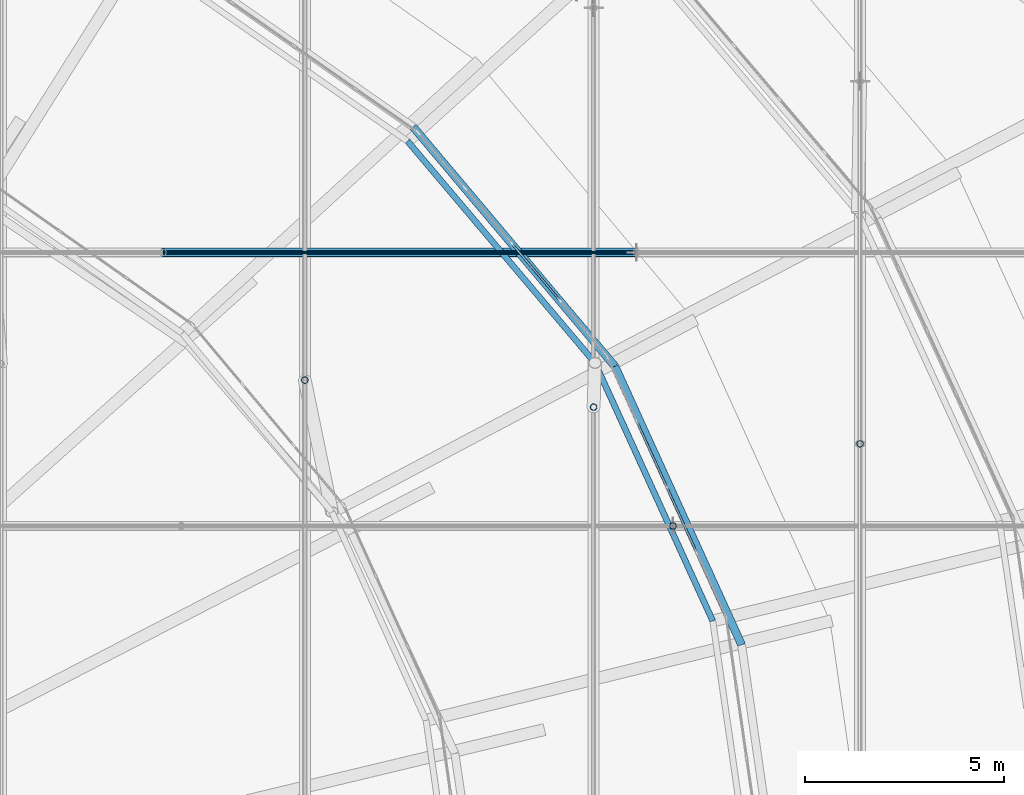
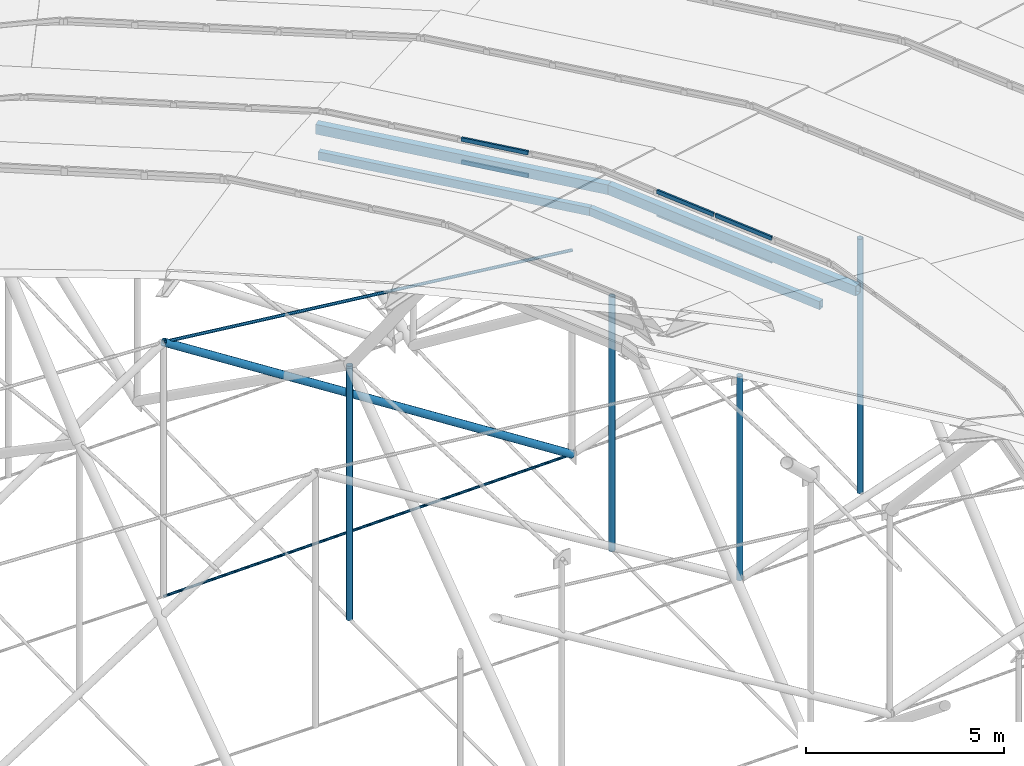
# One storey, part 93 of 173: 17 members, 2 elements without a shape of their own.
"""IFC4 building model written with IfcOpenShell, lengths in metres."""

from ifc_helpers import new_model, si_unit, direction, frame, origin, origin_2d, place, context, subcontext, project, spatial, rectangle, hollow_rectangle, circle, hollow_circle, extrude, material, material_profile, profile_set, type_object, element, aggregate, save


model = new_model("IFC4")

# Units and contexts
model_context = context("Model", 3, precision=1e-05, world=origin(), true_north=direction((0.0, 1.0)))
body_context = subcontext(model_context, "Body", "Model", "MODEL_VIEW")
ifc_project = project(units=[si_unit("LENGTHUNIT", "METRE"), si_unit("AREAUNIT", "SQUARE_METRE"), si_unit("VOLUMEUNIT", "CUBIC_METRE"), si_unit("PLANEANGLEUNIT", "RADIAN"), si_unit("MASSUNIT", "GRAM", prefix="KILO")], contexts=[model_context])

# Site, building, storey
site_placement = place(None, origin())
site = spatial("IfcSite", under=ifc_project, at=site_placement, CompositionType="ELEMENT")
building_placement = place(site_placement, origin())
building = spatial("IfcBuilding", under=site, at=building_placement, Name="Glasvene Arena", CompositionType="ELEMENT")
storey_placement = place(building_placement, frame((0.0, 0.0, 28.800048828125)))
storey = spatial("IfcBuildingStorey", under=building, at=storey_placement, Name="RF", CompositionType="ELEMENT", Elevation=28.800048828125)

# Curtain wall, members
ifc_material_1 = material(Name="Low-emissivity laminated double glazing", Category="glass")
curtain_wall_type_1 = type_object("IfcCurtainWallType", Name="CW-PET3-721x75", PredefinedType="USERDEFINED", material=ifc_material_1)
curtain_wall_1_placement = place(storey_placement, frame((118.029541015625, 77.739990234375, 0.0)))
curtain_wall_1 = element("IfcCurtainWall", 1, at=curtain_wall_1_placement, inside=storey, type_object=curtain_wall_type_1, Name="Petal ring 3-4 clerestory curtain wall 02", ObjectType="CURTAIN WALL", PredefinedType="USERDEFINED")
ifc_material_2 = material(Name="Anodised architectural aluminium", Category="aluminium")
ifc_material_profile_1 = material_profile(ifc_material_2, rectangle(XDim=0.050048828125, YDim=0.1201171875, at=origin_2d()), Name="ALU TRANSOM 50x120")
ifc_profile_set_1 = profile_set([ifc_material_profile_1], Name="Anodised architectural aluminium")
member_type_1 = type_object("IfcMemberType", Name="CW-TRN-120", PredefinedType="USERDEFINED", material=ifc_profile_set_1)
member_1_placement = place(storey_placement, frame((117.271240234375, 79.402587890625, 7.85498046875), z_axis=(-0.414946517338, 0.909845804381, 0.0), x_axis=(-0.909845804381, -0.414946517338, 0.0)))
member_1 = element("IfcMember", 2, at=member_1_placement, type_object=member_type_1, Name="CW-094 transom 2.1", ObjectType="TRANSOM", PredefinedType="USERDEFINED", context=body_context, shape_type="SweptSolid", body=[
    extrude(rectangle(XDim=0.050048828125, YDim=0.1201171875, at=origin_2d()), origin(), (0.0, 0.0, 1.0), 1.752685546875),
])
member_2_placement = place(storey_placement, frame((117.271240234375, 79.402587890625, 8.554931640625), z_axis=(-0.414946517338, 0.909845804381, 0.0), x_axis=(-0.909845804381, -0.414946517338, 0.0)))
member_2 = element("IfcMember", 3, at=member_2_placement, type_object=member_type_1, Name="CW-094 transom 2.2", ObjectType="TRANSOM", PredefinedType="USERDEFINED", context=body_context, shape_type="SweptSolid", body=[
    extrude(rectangle(XDim=0.050048828125, YDim=0.1201171875, at=origin_2d()), origin(), (0.0, 0.0, 1.0), 1.752685546875),
])
member_3_placement = place(storey_placement, frame((116.523193359375, 81.042724609375, 7.85498046875), z_axis=(-0.414999110691, 0.90982181669, 0.0), x_axis=(-0.90982181669, -0.414999110691, 0.0)))
member_3 = element("IfcMember", 4, at=member_3_placement, type_object=member_type_1, Name="CW-094 transom 3.1", ObjectType="TRANSOM", PredefinedType="USERDEFINED", context=body_context, shape_type="SweptSolid", body=[
    extrude(rectangle(XDim=0.050048828125, YDim=0.1201171875, at=origin_2d()), origin(), (0.0, 0.0, 1.0), 1.75244140625),
])
member_4_placement = place(storey_placement, frame((116.523193359375, 81.042724609375, 8.554931640625), z_axis=(-0.414999110691, 0.90982181669, 0.0), x_axis=(-0.90982181669, -0.414999110691, 0.0)))
member_4 = element("IfcMember", 5, at=member_4_placement, type_object=member_type_1, Name="CW-094 transom 3.2", ObjectType="TRANSOM", PredefinedType="USERDEFINED", context=body_context, shape_type="SweptSolid", body=[
    extrude(rectangle(XDim=0.050048828125, YDim=0.1201171875, at=origin_2d()), origin(), (0.0, 0.0, 1.0), 1.75244140625),
])
aggregate(curtain_wall_1, [member_1, member_2, member_3, member_4])

curtain_wall_type_2 = type_object("IfcCurtainWallType", Name="CW-PET3-737x75", PredefinedType="USERDEFINED", material=ifc_material_1)
curtain_wall_2_placement = place(storey_placement, frame((115.03759765625, 84.300048828125, 0.0)))
curtain_wall_2 = element("IfcCurtainWall", 6, at=curtain_wall_2_placement, inside=storey, type_object=curtain_wall_type_2, Name="Petal ring 3-4 clerestory curtain wall 03", ObjectType="CURTAIN WALL", PredefinedType="USERDEFINED")
member_5_placement = place(storey_placement, frame((113.83154296875, 85.7275390625, 7.85498046875), z_axis=(-0.645417374568, 0.763830094069, 0.0), x_axis=(-0.763830094069, -0.645417374568, 0.0)))
member_5 = element("IfcMember", 7, at=member_5_placement, type_object=member_type_1, Name="CW-095 transom 2.1", ObjectType="TRANSOM", PredefinedType="USERDEFINED", context=body_context, shape_type="SweptSolid", body=[
    extrude(rectangle(XDim=0.050048828125, YDim=0.1201171875, at=origin_2d()), origin(), (0.0, 0.0, 1.0), 1.793701171875),
])
member_6_placement = place(storey_placement, frame((113.83154296875, 85.7275390625, 8.554931640625), z_axis=(-0.645417374568, 0.763830094069, 0.0), x_axis=(-0.763830094069, -0.645417374568, 0.0)))
member_6 = element("IfcMember", 8, at=member_6_placement, type_object=member_type_1, Name="CW-095 transom 2.2", ObjectType="TRANSOM", PredefinedType="USERDEFINED", context=body_context, shape_type="SweptSolid", body=[
    extrude(rectangle(XDim=0.050048828125, YDim=0.1201171875, at=origin_2d()), origin(), (0.0, 0.0, 1.0), 1.793701171875),
])
aggregate(curtain_wall_2, [member_5, member_6])

# Members
ifc_material_3 = material(Name="High-strength steel spiral strand S460", Category="steel")
ifc_material_profile_2 = material_profile(ifc_material_3, circle(Radius=0.03759765625, at=origin_2d()), Name="LCSS D75")
ifc_profile_set_2 = profile_set([ifc_material_profile_2], Name="High-strength steel spiral strand S460")
member_type_2 = type_object("IfcMemberType", Name="MB-CABLE-75", PredefinedType="USERDEFINED", material=ifc_profile_set_2)
member_7_placement = place(storey_placement, frame((103.88818359375, 86.90576171875, -2.328125), z_axis=(0.999835625889, 0.0, 0.01813067026), x_axis=(0.0, 1.0, 0.0)))
element("IfcMember", 9, at=member_7_placement, inside=storey, type_object=member_type_2, Name="Lower stabilization roof cable EW06-06", ObjectType="ROOF CABLE", PredefinedType="USERDEFINED", context=body_context, shape_type="SweptSolid", body=[
    extrude(circle(Radius=0.03759765625, at=origin_2d()), origin(), (0.0, 0.0, 1.0), 11.89013671875),
])
ifc_material_profile_3 = material_profile(ifc_material_3, circle(Radius=0.044921875, at=origin_2d()), Name="LCSS D90")
ifc_profile_set_3 = profile_set([ifc_material_profile_3], Name="High-strength steel spiral strand S460")
member_type_3 = type_object("IfcMemberType", Name="MB-CABLE-90", PredefinedType="USERDEFINED", material=ifc_profile_set_3)
member_8_placement = place(storey_placement, frame((103.88818359375, 86.90576171875, 5.499267578125), z_axis=(0.99377900828, 0.0, -0.111370026044), x_axis=(0.0, 1.0, 0.0)))
element("IfcMember", 10, at=member_8_placement, inside=storey, type_object=member_type_3, Name="Upper lens roof cable EW06-06", ObjectType="ROOF CABLE", PredefinedType="USERDEFINED", context=body_context, shape_type="SweptSolid", body=[
    extrude(circle(Radius=0.044921875, at=origin_2d()), origin(), (0.0, 0.0, 1.0), 11.962646484375),
])
ifc_material_4 = material(Name="Steel S355J2", Category="steel")
ifc_material_profile_4 = material_profile(ifc_material_4, hollow_rectangle(XDim=0.14990234375, YDim=0.25, WallThickness=0.010009765625, at=origin_2d()), Name="RHS 250x150x10.0")
ifc_profile_set_4 = profile_set([ifc_material_profile_4], Name="Steel S355J2")
member_type_4 = type_object("IfcMemberType", Name="MB-PURLIN-RHS250", PredefinedType="PURLIN", material=ifc_profile_set_4)
member_9_placement = place(storey_placement, frame((117.69140625, 77.654296875, 7.431884765625), z_axis=(-0.415137577062, 0.909758644977, 0.0), x_axis=(-0.909758644977, -0.415137577062, 0.0)))
element("IfcMember", 11, at=member_9_placement, inside=storey, type_object=member_type_4, Name="Petal ring 3 ridge purlin 02", PredefinedType="PURLIN", context=body_context, shape_type="SweptSolid", body=[
    extrude(hollow_rectangle(XDim=0.14990234375, YDim=0.25, WallThickness=0.010009765625, at=origin_2d()), origin(), (0.0, 0.0, 1.0), 7.123046875),
])
member_10_placement = place(storey_placement, frame((114.734375, 84.134521484375, 7.431884765625), z_axis=(-0.64556365772, 0.763706464442, 0.0), x_axis=(-0.763706464442, -0.64556365772, 0.0)))
element("IfcMember", 12, at=member_10_placement, inside=storey, type_object=member_type_4, Name="Petal ring 3 ridge purlin 03", PredefinedType="PURLIN", context=body_context, shape_type="SweptSolid", body=[
    extrude(hollow_rectangle(XDim=0.14990234375, YDim=0.25, WallThickness=0.010009765625, at=origin_2d()), origin(), (0.0, 0.0, 1.0), 7.286376953125),
])
ifc_material_profile_5 = material_profile(ifc_material_4, hollow_rectangle(XDim=0.199951171875, YDim=0.300048828125, WallThickness=0.012451171875, at=origin_2d()), Name="RHS 300x200x12.5")
ifc_profile_set_5 = profile_set([ifc_material_profile_5], Name="Steel S355J2")
member_type_5 = type_object("IfcMemberType", Name="MB-PURLIN-RHS300", PredefinedType="PURLIN", material=ifc_profile_set_5)
member_11_placement = place(storey_placement, frame((118.414794921875, 77.055908203125, 8.00048828125), z_axis=(-0.414097366864, 0.91023259157, 0.0), x_axis=(-0.91023259157, -0.414097366864, 0.0)))
element("IfcMember", 13, at=member_11_placement, inside=storey, type_object=member_type_5, Name="Petal ring 4 outer purlin 02", PredefinedType="PURLIN", context=body_context, shape_type="SweptSolid", body=[
    extrude(hollow_rectangle(XDim=0.199951171875, YDim=0.300048828125, WallThickness=0.012451171875, at=origin_2d()), origin(), (0.0, 0.0, 1.0), 7.683837890625),
])
member_12_placement = place(storey_placement, frame((115.23291015625, 84.050048828125, 8.00048828125), z_axis=(-0.644415198953, 0.764675781857, 0.0), x_axis=(-0.764675781857, -0.644415198953, 0.0)))
element("IfcMember", 14, at=member_12_placement, inside=storey, type_object=member_type_5, Name="Petal ring 4 outer purlin 03", PredefinedType="PURLIN", context=body_context, shape_type="SweptSolid", body=[
    extrude(hollow_rectangle(XDim=0.199951171875, YDim=0.300048828125, WallThickness=0.012451171875, at=origin_2d()), origin(), (0.0, 0.0, 1.0), 7.8544921875),
])
ifc_material_profile_6 = material_profile(ifc_material_4, hollow_circle(Radius=0.084228515625, WallThickness=0.008056640625, at=origin_2d()), Name="CHS 168.3x8.0")
ifc_profile_set_6 = profile_set([ifc_material_profile_6], Name="Steel S355J2")
member_type_6 = type_object("IfcMemberType", Name="MB-WEB-CHS168", PredefinedType="BRACE", material=ifc_profile_set_6)
for number, where, z_axis, x_axis, name in (
    (15, (121.389404296875, 82.101318359375, -2.328125), (0.0, 0.0, 1.0), (1.0, 0.0, 0.0), "Cable-truss vertical strut NS01-05"),
    (16, (114.699462890625, 83.023681640625, -2.328125), (0.0, 0.0, 1.0), (1.0, 0.0, 0.0), "Cable-truss vertical strut NS02-05"),
    (17, (107.45068359375, 83.699462890625, -2.328125), (0.0, 0.0, 1.0), (1.0, 0.0, 0.0), "Cable-truss vertical strut NS03-05"),
):
    element("IfcMember", number, at=place(storey_placement, frame(where, z_axis=z_axis, x_axis=x_axis)), inside=storey, type_object=member_type_6, Name=name, PredefinedType="BRACE", context=body_context, shape_type="SweptSolid", body=[
        extrude(hollow_circle(Radius=0.084228515625, WallThickness=0.008056640625, at=origin_2d()), origin(), (0.0, 0.0, 1.0), 7.827392578125),
    ])
member_13_placement = place(storey_placement, frame((116.692138671875, 80.03955078125, -2.112548828125), z_axis=(0.0, 0.0, 1.0), x_axis=(1.0, 0.0, 0.0)))
element("IfcMember", 18, at=member_13_placement, inside=storey, type_object=member_type_6, Name="Cable-truss vertical strut EW05-06", PredefinedType="BRACE", context=body_context, shape_type="SweptSolid", body=[
    extrude(hollow_circle(Radius=0.084228515625, WallThickness=0.008056640625, at=origin_2d()), origin(), (0.0, 0.0, 1.0), 6.279541015625),
])
ifc_material_profile_7 = material_profile(ifc_material_4, hollow_circle(Radius=0.109619140625, WallThickness=0.010009765625, at=origin_2d()), Name="CHS 219.1x10.0")
ifc_profile_set_7 = profile_set([ifc_material_profile_7], Name="Steel S355J2")
member_type_7 = type_object("IfcMemberType", Name="MB-WEB-CHS219", PredefinedType="BRACE", material=ifc_profile_set_7)
member_14_placement = place(storey_placement, frame((103.88818359375, 86.90576171875, 5.499267578125), z_axis=(0.842162705772, 0.0, -0.539223494487), x_axis=(0.0, 1.0, 0.0)))
element("IfcMember", 19, at=member_14_placement, inside=storey, type_object=member_type_7, Name="Cable-truss diagonal web strut EW06-06", PredefinedType="BRACE", context=body_context, shape_type="SweptSolid", body=[
    extrude(hollow_circle(Radius=0.109619140625, WallThickness=0.010009765625, at=origin_2d()), origin(), (0.0, 0.0, 1.0), 14.1162109375),
])

save(model, "model.ifc")
